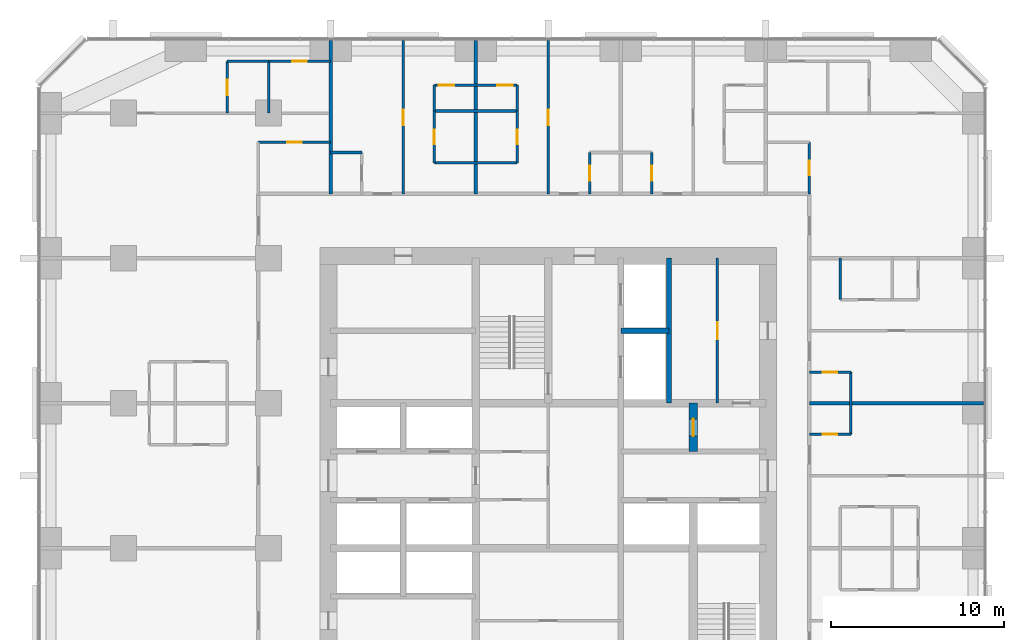
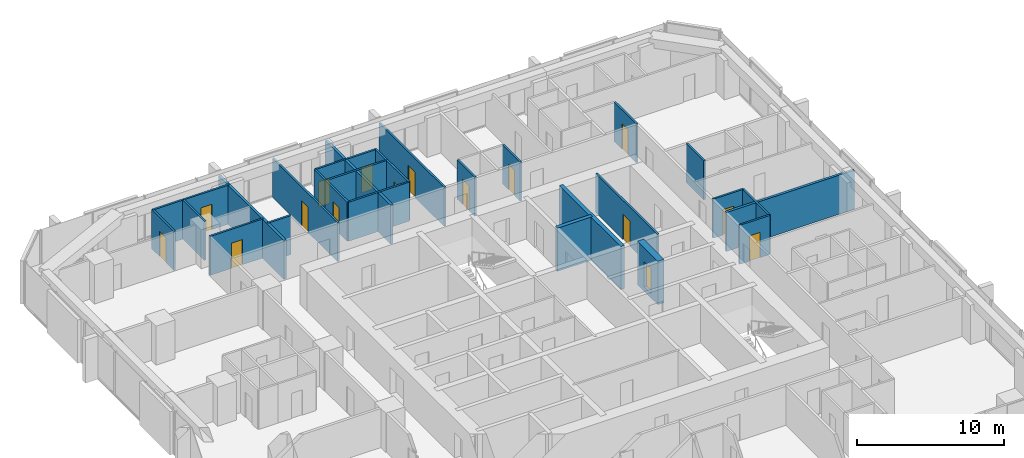
# One storey, part 12 of 14: 29 walls, 16 doors, 16 openings.
"""IFC4 building model written with IfcOpenShell, lengths in metres."""

import ifcopenshell
import ifcopenshell.guid

model = None  # the IFC model being written
_history = None  # IfcOwnerHistory: only IFC2X3 demands one
_inside = {}  # id of a spatial element -> (the spatial element, [elements in it])
_under = {}  # id of a project, library or spatial element -> (it, [spatial elements below it])
_declared = {}  # id of a project -> (the project, [libraries it declares])
_typed = {}  # id of a type object -> (the type object, [elements of that type])
_made_of = {}  # id of a material, layer set ... -> (it, [elements and type objects made of it])


def new_model(schema):
    """Start an empty IFC model of exactly this schema.

    Asked for "IFC4X3", IfcOpenShell would pick the latest addendum, in which some entities
    have other attributes; the version numbers below select the first issue.
    IFC2X3 requires an IfcOwnerHistory on every rooted entity: one is made here for all.
    """
    global model, _history
    if schema == "IFC4X3":
        model = ifcopenshell.file(schema_version=(4, 3, 0, 0))
    else:
        model = ifcopenshell.file(schema=schema)
    _inside.clear()
    _under.clear()
    _declared.clear()
    _typed.clear()
    _made_of.clear()
    _history = None
    if model.schema == "IFC2X3":
        org = make("IfcOrganization", Name="unknown")
        user = make(
            "IfcPersonAndOrganization",
            ThePerson=make("IfcPerson", FamilyName="unknown"),
            TheOrganization=org,
        )
        app = make(
            "IfcApplication",
            ApplicationDeveloper=org,
            Version="unknown",
            ApplicationFullName="unknown",
            ApplicationIdentifier="unknown",
        )
        _history = make(
            "IfcOwnerHistory",
            OwningUser=user,
            OwningApplication=app,
            ChangeAction="ADDED",
            CreationDate=0,
        )
    return model


def make(cls, **values):
    """One entity of the class cls with the attributes given. An attribute that is None is left unset."""
    return model.create_entity(
        cls, **{name: value for name, value in values.items() if value is not None}
    )


def rooted(cls, **values):
    """An entity with a GlobalId (a new one), such as an element, a storey or a relation."""
    return make(cls, GlobalId=ifcopenshell.guid.new(), OwnerHistory=_history, **values)


def si_unit(unit_type, name, prefix=None):
    """IfcSIUnit, for example si_unit("LENGTHUNIT", "METRE", prefix="MILLI")."""
    return make("IfcSIUnit", UnitType=unit_type, Prefix=prefix, Name=name)


def assignment(units):
    """IfcUnitAssignment: the units of a project."""
    return None if units is None else make("IfcUnitAssignment", Units=units)


def point(xyz):
    """IfcCartesianPoint."""
    return None if xyz is None else make("IfcCartesianPoint", Coordinates=xyz)


def direction(xyz):
    """IfcDirection."""
    return None if xyz is None else make("IfcDirection", DirectionRatios=xyz)


def frame(location, z_axis=None, x_axis=None):
    """IfcAxis2Placement3D, a coordinate frame: its origin and axes. An axis left out is left unset."""
    return make(
        "IfcAxis2Placement3D",
        Location=point(location),
        Axis=direction(z_axis),
        RefDirection=direction(x_axis),
    )


def frame_2d(location, x_axis=None):
    """IfcAxis2Placement2D, a coordinate frame in the plane: its origin and x axis."""
    return make(
        "IfcAxis2Placement2D", Location=point(location), RefDirection=direction(x_axis)
    )


def origin():
    """The frame at (0, 0, 0) with its axes left unset."""
    return frame((0.0, 0.0, 0.0))


def place(relative_to, where):
    """IfcLocalPlacement: puts the frame where relative to a parent placement (None: the world)."""
    return make(
        "IfcLocalPlacement", PlacementRelTo=relative_to, RelativePlacement=where
    )


def context(
    kind, dimensions, precision=None, world=None, true_north=None, identifier=None
):
    """IfcGeometricRepresentationContext, for example the 3D "Model" context."""
    return make(
        "IfcGeometricRepresentationContext",
        ContextIdentifier=identifier,
        ContextType=kind,
        CoordinateSpaceDimension=dimensions,
        Precision=precision,
        WorldCoordinateSystem=world,
        TrueNorth=true_north,
    )


def subcontext(parent, identifier, kind, view, scale=None):
    """IfcGeometricRepresentationSubContext, for example "Body" below "Model"."""
    return make(
        "IfcGeometricRepresentationSubContext",
        ContextIdentifier=identifier,
        ContextType=kind,
        ParentContext=parent,
        TargetScale=scale,
        TargetView=view,
    )


def project(units=None, contexts=None):
    """IfcProject with its units and contexts."""
    return rooted(
        "IfcProject",
        Name="project",
        RepresentationContexts=contexts,
        UnitsInContext=assignment(units),
    )


def spatial(cls, under=None, at=None, **own):
    """A site, building, storey or space (cls), placed at a placement, below another one or the project."""
    s = rooted(cls, ObjectPlacement=at, **own)
    if under is not None:
        _under.setdefault(under.id(), (under, []))[1].append(s)
    return s


def profile(cls, at=None, kind="AREA", **sizes):
    """A parametric profile (cls). Its sizes go by their IFC names, for example OverallWidth=200.0."""
    return make(cls, ProfileType=kind, Position=at, **sizes)


def rectangle(**sizes):
    """IfcRectangleProfileDef."""
    return profile("IfcRectangleProfileDef", **sizes)


def extrude(swept, where, along, depth):
    """IfcExtrudedAreaSolid: the profile swept, set in the frame where, extruded along a direction by depth."""
    return make(
        "IfcExtrudedAreaSolid",
        SweptArea=swept,
        Position=where,
        ExtrudedDirection=direction(along),
        Depth=depth,
    )


def shape(context_of_items, identifier, shape_type, items):
    """IfcShapeRepresentation: the items that make up one representation, for example the "Body"."""
    return make(
        "IfcShapeRepresentation",
        ContextOfItems=context_of_items,
        RepresentationIdentifier=identifier,
        RepresentationType=shape_type,
        Items=items,
    )


def material(Name=None, Category=None):
    """IfcMaterial."""
    return make("IfcMaterial", Name=Name, Category=Category)


def layer(
    of_material, thickness, ventilated=None, Name=None, Category=None, Priority=None
):
    """IfcMaterialLayer: one layer of a wall or slab, of a material (None: an air gap)."""
    return make(
        "IfcMaterialLayer",
        Material=of_material,
        LayerThickness=thickness,
        IsVentilated=ventilated,
        Name=Name,
        Category=Category,
        Priority=Priority,
    )


def layer_set(layers, Name=None):
    """IfcMaterialLayerSet."""
    return make("IfcMaterialLayerSet", MaterialLayers=layers, LayerSetName=Name)


def made_of(thing, what):
    """Note that an element or type object is made of a material, layer set ...; save() writes the relation."""
    if what is not None:
        _made_of.setdefault(what.id(), (what, []))[1].append(thing)
    return thing


def type_object(cls, material=None, **own):
    """A type object (cls), such as IfcWallType, which elements share."""
    return made_of(rooted(cls, **own), material)


def element(
    cls,
    number,
    at=None,
    inside=None,
    cuts=None,
    type_object=None,
    material=None,
    context=None,
    identifier="Body",
    shape_type=None,
    held_by="IfcProductDefinitionShape",
    body=None,
    shapes=None,
    **own,
):
    """One element of the class cls, such as IfcWall. Its Tag is "e" and its number.

    at: its placement. inside: the storey or other place that contains it. cuts: it is an
    opening in that element (IfcRelVoidsElement). A single representation is given by context,
    identifier, shape_type and body (its items); several are given by shapes. held_by: the class
    of the entity that holds the representations. save() writes the other relations.
    """
    e = rooted(cls, Tag="e%d" % number, ObjectPlacement=at, **own)
    if body is not None:
        shapes = [shape(context, identifier, shape_type, body)]
    if shapes is not None:
        e.Representation = make(held_by, Representations=shapes)
    if inside is not None:
        _inside.setdefault(inside.id(), (inside, []))[1].append(e)
    if cuts is not None:
        rooted(
            "IfcRelVoidsElement", RelatingBuildingElement=cuts, RelatedOpeningElement=e
        )
    if type_object is not None:
        _typed.setdefault(type_object.id(), (type_object, []))[1].append(e)
    return made_of(e, material)


def fill(opening, filler):
    """IfcRelFillsElement: the door or window that sits in an opening."""
    return rooted(
        "IfcRelFillsElement",
        RelatingOpeningElement=opening,
        RelatedBuildingElement=filler,
    )


def aggregate(whole, parts):
    """IfcRelAggregates: a whole, such as a stair, and the parts it consists of."""
    return rooted("IfcRelAggregates", RelatingObject=whole, RelatedObjects=parts)


def save(model, path):
    """Write the relations noted so far, then the file.

    IfcRelAggregates (storeys below a building ...), IfcRelContainedInSpatialStructure (elements
    in a storey), IfcRelDefinesByType, IfcRelAssociatesMaterial and IfcRelDeclares: one each for
    every whole, place, type object, material and project.
    """
    for whole, parts in _under.values():
        aggregate(whole, parts)
    for where, things in _inside.values():
        rooted(
            "IfcRelContainedInSpatialStructure",
            RelatedElements=things,
            RelatingStructure=where,
        )
    for kind, things in _typed.values():
        rooted("IfcRelDefinesByType", RelatedObjects=things, RelatingType=kind)
    for what, things in _made_of.values():
        rooted("IfcRelAssociatesMaterial", RelatedObjects=things, RelatingMaterial=what)
    for by, libraries in _declared.values():
        rooted("IfcRelDeclares", RelatingContext=by, RelatedDefinitions=libraries)
    model.write(path)


model = new_model("IFC4")

# Units and contexts
model_context = context("Model", 3, precision=1e-05, world=origin(), true_north=direction((0.0, 1.0)))
body_context = subcontext(model_context, "Body", "Model", "MODEL_VIEW")
ifc_project = project(units=[si_unit("LENGTHUNIT", "METRE"), si_unit("AREAUNIT", "SQUARE_METRE"), si_unit("VOLUMEUNIT", "CUBIC_METRE"), si_unit("PLANEANGLEUNIT", "RADIAN"), si_unit("MASSUNIT", "GRAM", prefix="KILO")], contexts=[model_context])

# Site, building, storey
site_placement = place(None, origin())
site = spatial("IfcSite", under=ifc_project, at=site_placement, CompositionType="ELEMENT")
building_placement = place(site_placement, origin())
building = spatial("IfcBuilding", under=site, at=building_placement, Name="Dunama Terrace Hotel", CompositionType="ELEMENT")
storey_placement = place(building_placement, frame((0.0, 0.0, 129.60009765625)))
storey = spatial("IfcBuildingStorey", under=building, at=storey_placement, Name="L33", CompositionType="ELEMENT", Elevation=129.60009765625)

# Wall, opening, door
ifc_material_1 = material(Name="Gypsum board partition", Category="masonry")
ifc_layer_1 = layer(ifc_material_1, 0.14990234375)
ifc_layer_set_1 = layer_set([ifc_layer_1], Name="Bathroom partition 150")
wall_type_1 = type_object("IfcWallType", Name="Bathroom partition 150", PredefinedType="PARTITIONING", material=ifc_layer_set_1)
wall_1_placement = place(storey_placement, frame((22.800048828125, 47.52490234375, 0.0), z_axis=(0.0, 0.0, 1.0), x_axis=(0.0, 1.0, 0.0)))
wall_1 = element("IfcWall", 1, at=wall_1_placement, inside=storey, type_object=wall_type_1, Name="Bathroom partition 150 L33", PredefinedType="PARTITIONING", context=body_context, shape_type="SweptSolid", body=[
    extrude(rectangle(XDim=3.0, YDim=0.14990234375, at=frame_2d((1.5, 0.0))), origin(), (0.0, 0.0, 1.0), 3.25),
])
opening_1_placement = place(wall_1_placement, frame((1.074951171875, 0.0, 0.0)))
opening_1 = element("IfcOpeningElement", 2, at=opening_1_placement, cuts=wall_1, Name="Opening L31-33-041", PredefinedType="OPENING", context=body_context, shape_type="SweptSolid", body=[
    extrude(rectangle(XDim=0.85009765625, YDim=2.10009765625, at=frame_2d((0.425048828125, 1.050048828125))), frame((0.0, 0.0849609375, 0.0), z_axis=(0.0, -1.0, 0.0), x_axis=(1.0, 0.0, 0.0)), (0.0, 0.0, 1.0), 0.169921875),
])
ifc_material_2 = material(Name="Timber door with steel frame", Category="steel")
door_type_1 = type_object("IfcDoorType", Name="Bathroom door 850", OperationType="SINGLE_SWING_LEFT", PredefinedType="DOOR", material=ifc_material_2)
door_1_placement = place(opening_1_placement, frame((0.85009765625, 0.0, 0.0), z_axis=(0.0, 0.0, 1.0), x_axis=(-1.0, 0.0, 0.0)))
door_1 = element("IfcDoor", 3, at=door_1_placement, inside=storey, type_object=door_type_1, Name="Door to en-suite bathroom L31-33-041, type D2", OperationType="SINGLE_SWING_LEFT", OverallHeight=2.10009765625, OverallWidth=0.85009765625, PredefinedType="DOOR", context=body_context, shape_type="SweptSolid", body=[
    extrude(rectangle(XDim=0.85009765625, YDim=2.10009765625, at=frame_2d((0.425048828125, 1.050048828125))), frame((0.0, 0.025146484375, 0.0), z_axis=(0.0, -1.0, 0.0), x_axis=(1.0, 0.0, 0.0)), (0.0, 0.0, 1.0), 0.050048828125),
])
fill(opening_1, door_1)

wall_2_placement = place(storey_placement, frame((27.60009765625, 47.52490234375, 0.0), z_axis=(0.0, 0.0, 1.0), x_axis=(0.0, 1.0, 0.0)))
wall_2 = element("IfcWall", 4, at=wall_2_placement, inside=storey, type_object=wall_type_1, Name="Bathroom partition 150 L33", PredefinedType="PARTITIONING", context=body_context, shape_type="SweptSolid", body=[
    extrude(rectangle(XDim=3.0, YDim=0.14990234375, at=frame_2d((1.5, 0.0))), origin(), (0.0, 0.0, 1.0), 3.25),
])
opening_2_placement = place(wall_2_placement, frame((1.074951171875, 0.0, 0.0)))
opening_2 = element("IfcOpeningElement", 5, at=opening_2_placement, cuts=wall_2, Name="Opening L31-33-046", PredefinedType="OPENING", context=body_context, shape_type="SweptSolid", body=[
    extrude(rectangle(XDim=0.85009765625, YDim=2.10009765625, at=frame_2d((0.425048828125, 1.050048828125))), frame((0.0, 0.0849609375, 0.0), z_axis=(0.0, -1.0, 0.0), x_axis=(1.0, 0.0, 0.0)), (0.0, 0.0, 1.0), 0.169921875),
])
door_2_placement = place(opening_2_placement, origin())
door_2 = element("IfcDoor", 6, at=door_2_placement, inside=storey, type_object=door_type_1, Name="Door to en-suite bathroom L31-33-046, type D2", OperationType="SINGLE_SWING_RIGHT", OverallHeight=2.10009765625, OverallWidth=0.85009765625, PredefinedType="DOOR", context=body_context, shape_type="SweptSolid", body=[
    extrude(rectangle(XDim=0.85009765625, YDim=2.10009765625, at=frame_2d((0.425048828125, 1.050048828125))), frame((0.0, 0.02490234375, 0.0), z_axis=(0.0, -1.0, 0.0), x_axis=(1.0, 0.0, 0.0)), (0.0, 0.0, 1.0), 0.050048828125),
])
fill(opening_2, door_2)

wall_3_placement = place(storey_placement, frame((31.800048828125, 45.72509765625, 0.0), z_axis=(0.0, 0.0, 1.0), x_axis=(0.0, 1.0, 0.0)))
wall_3 = element("IfcWall", 7, at=wall_3_placement, inside=storey, type_object=wall_type_1, Name="Bathroom partition 150 L33", PredefinedType="PARTITIONING", context=body_context, shape_type="SweptSolid", body=[
    extrude(rectangle(XDim=2.39990234375, YDim=0.14990234375, at=frame_2d((1.199951171875, 0.0))), origin(), (0.0, 0.0, 1.0), 3.25),
])
opening_3_placement = place(wall_3_placement, frame((0.77490234375, 0.0, 0.0)))
opening_3 = element("IfcOpeningElement", 8, at=opening_3_placement, cuts=wall_3, Name="Opening L31-33-044", PredefinedType="OPENING", context=body_context, shape_type="SweptSolid", body=[
    extrude(rectangle(XDim=0.85009765625, YDim=2.10009765625, at=frame_2d((0.425048828125, 1.050048828125))), frame((0.0, 0.0849609375, 0.0), z_axis=(0.0, -1.0, 0.0), x_axis=(1.0, 0.0, 0.0)), (0.0, 0.0, 1.0), 0.169921875),
])
door_3_placement = place(opening_3_placement, frame((0.85009765625, 0.0, 0.0), z_axis=(0.0, 0.0, 1.0), x_axis=(-1.0, 0.0, 0.0)))
door_3 = element("IfcDoor", 9, at=door_3_placement, inside=storey, type_object=door_type_1, Name="Door to powder room L31-33-044, type D2", OperationType="SINGLE_SWING_RIGHT", OverallHeight=2.10009765625, OverallWidth=0.85009765625, PredefinedType="DOOR", context=body_context, shape_type="SweptSolid", body=[
    extrude(rectangle(XDim=0.85009765625, YDim=2.10009765625, at=frame_2d((0.425048828125, 1.050048828125))), frame((0.0, 0.025146484375, 0.0), z_axis=(0.0, -1.0, 0.0), x_axis=(1.0, 0.0, 0.0)), (0.0, 0.0, 1.0), 0.050048828125),
])
fill(opening_3, door_3)

wall_4_placement = place(storey_placement, frame((35.39990234375, 45.72509765625, 0.0), z_axis=(0.0, 0.0, 1.0), x_axis=(0.0, 1.0, 0.0)))
wall_4 = element("IfcWall", 10, at=wall_4_placement, inside=storey, type_object=wall_type_1, Name="Bathroom partition 150 L33", PredefinedType="PARTITIONING", context=body_context, shape_type="SweptSolid", body=[
    extrude(rectangle(XDim=2.39990234375, YDim=0.14990234375, at=frame_2d((1.199951171875, 0.0))), origin(), (0.0, 0.0, 1.0), 3.25),
])
opening_4_placement = place(wall_4_placement, frame((0.77490234375, 0.0, 0.0)))
opening_4 = element("IfcOpeningElement", 11, at=opening_4_placement, cuts=wall_4, Name="Opening L31-33-049", PredefinedType="OPENING", context=body_context, shape_type="SweptSolid", body=[
    extrude(rectangle(XDim=0.85009765625, YDim=2.10009765625, at=frame_2d((0.425048828125, 1.050048828125))), frame((0.0, 0.0849609375, 0.0), z_axis=(0.0, -1.0, 0.0), x_axis=(1.0, 0.0, 0.0)), (0.0, 0.0, 1.0), 0.169921875),
])
door_4_placement = place(opening_4_placement, origin())
door_4 = element("IfcDoor", 12, at=door_4_placement, inside=storey, type_object=door_type_1, Name="Door to powder room L31-33-049, type D2", OperationType="SINGLE_SWING_LEFT", OverallHeight=2.10009765625, OverallWidth=0.85009765625, PredefinedType="DOOR", context=body_context, shape_type="SweptSolid", body=[
    extrude(rectangle(XDim=0.85009765625, YDim=2.10009765625, at=frame_2d((0.425048828125, 1.050048828125))), frame((0.0, 0.02490234375, 0.0), z_axis=(0.0, -1.0, 0.0), x_axis=(1.0, 0.0, 0.0)), (0.0, 0.0, 1.0), 0.050048828125),
])
fill(opening_4, door_4)

wall_5_placement = place(storey_placement, frame((44.52490234375, 45.72509765625, 0.0), z_axis=(0.0, 0.0, 1.0), x_axis=(0.0, 1.0, 0.0)))
wall_5 = element("IfcWall", 13, at=wall_5_placement, inside=storey, type_object=wall_type_1, Name="Bathroom partition 150 L33", PredefinedType="PARTITIONING", context=body_context, shape_type="SweptSolid", body=[
    extrude(rectangle(XDim=3.0, YDim=0.14990234375, at=frame_2d((1.5, 0.0))), origin(), (0.0, 0.0, 1.0), 3.25),
])
opening_5_placement = place(wall_5_placement, frame((1.074951171875, 0.0, 0.0)))
opening_5 = element("IfcOpeningElement", 14, at=opening_5_placement, cuts=wall_5, Name="Opening L31-33-073", PredefinedType="OPENING", context=body_context, shape_type="SweptSolid", body=[
    extrude(rectangle(XDim=0.85009765625, YDim=2.10009765625, at=frame_2d((0.425048828125, 1.050048828125))), frame((0.0, 0.0849609375, 0.0), z_axis=(0.0, -1.0, 0.0), x_axis=(1.0, 0.0, 0.0)), (0.0, 0.0, 1.0), 0.169921875),
])
door_5_placement = place(opening_5_placement, origin())
door_5 = element("IfcDoor", 15, at=door_5_placement, inside=storey, type_object=door_type_1, Name="Door to powder room L31-33-073, type D2", OperationType="SINGLE_SWING_LEFT", OverallHeight=2.10009765625, OverallWidth=0.85009765625, PredefinedType="DOOR", context=body_context, shape_type="SweptSolid", body=[
    extrude(rectangle(XDim=0.85009765625, YDim=2.10009765625, at=frame_2d((0.425048828125, 1.050048828125))), frame((0.0, 0.02490234375, 0.0), z_axis=(0.0, -1.0, 0.0), x_axis=(1.0, 0.0, 0.0)), (0.0, 0.0, 1.0), 0.050048828125),
])
fill(opening_5, door_5)

# Walls
wall_6_placement = place(storey_placement, frame((46.324951171875, 39.60009765625, 0.0), z_axis=(0.0, 0.0, 1.0), x_axis=(0.0, 1.0, 0.0)))
element("IfcWall", 16, at=wall_6_placement, inside=storey, type_object=wall_type_1, Name="Bathroom partition 150 L33", PredefinedType="PARTITIONING", context=body_context, shape_type="SweptSolid", body=[
    extrude(rectangle(XDim=2.39990234375, YDim=0.14990234375, at=frame_2d((1.199951171875, 0.0))), origin(), (0.0, 0.0, 1.0), 3.25),
])
wall_7_placement = place(storey_placement, frame((46.925048828125, 31.800048828125, 0.0), z_axis=(0.0, 0.0, 1.0), x_axis=(0.0, 1.0, 0.0)))
element("IfcWall", 17, at=wall_7_placement, inside=storey, type_object=wall_type_1, Name="Bathroom partition 150 L33", PredefinedType="PARTITIONING", context=body_context, shape_type="SweptSolid", body=[
    extrude(rectangle(XDim=3.599853515625, YDim=0.14990234375, at=frame_2d((1.7998046875, 0.0))), origin(), (0.0, 0.0, 1.0), 3.25),
])

# Wall, opening, door
wall_8_placement = place(storey_placement, frame((44.52490234375, 31.800048828125, 0.0), z_axis=(0.0, 0.0, 1.0), x_axis=(1.0, 0.0, 0.0)))
wall_8 = element("IfcWall", 18, at=wall_8_placement, inside=storey, type_object=wall_type_1, Name="Bathroom partition 150 L33", PredefinedType="PARTITIONING", context=body_context, shape_type="SweptSolid", body=[
    extrude(rectangle(XDim=2.400146484375, YDim=0.14990234375, at=frame_2d((1.2001953125, 0.0))), origin(), (0.0, 0.0, 1.0), 3.25),
])
opening_6_placement = place(wall_8_placement, frame((0.77490234375, 0.0, 0.0)))
opening_6 = element("IfcOpeningElement", 19, at=opening_6_placement, cuts=wall_8, Name="Opening L31-33-029", PredefinedType="OPENING", context=body_context, shape_type="SweptSolid", body=[
    extrude(rectangle(XDim=0.85009765625, YDim=2.10009765625, at=frame_2d((0.425048828125, 1.050048828125))), frame((0.0, 0.0849609375, 0.0), z_axis=(0.0, -1.0, 0.0), x_axis=(1.0, 0.0, 0.0)), (0.0, 0.0, 1.0), 0.169921875),
])
door_6_placement = place(opening_6_placement, origin())
door_6 = element("IfcDoor", 20, at=door_6_placement, inside=storey, type_object=door_type_1, Name="Door to powder room L31-33-029, type D2", OperationType="SINGLE_SWING_LEFT", OverallHeight=2.10009765625, OverallWidth=0.85009765625, PredefinedType="DOOR", context=body_context, shape_type="SweptSolid", body=[
    extrude(rectangle(XDim=0.85009765625, YDim=2.10009765625, at=frame_2d((0.425048828125, 1.050048828125))), frame((0.0, 0.02490234375, 0.0), z_axis=(0.0, -1.0, 0.0), x_axis=(1.0, 0.0, 0.0)), (0.0, 0.0, 1.0), 0.050048828125),
])
fill(opening_6, door_6)

wall_9_placement = place(storey_placement, frame((44.52490234375, 35.39990234375, 0.0), z_axis=(0.0, 0.0, 1.0), x_axis=(1.0, 0.0, 0.0)))
wall_9 = element("IfcWall", 21, at=wall_9_placement, inside=storey, type_object=wall_type_1, Name="Bathroom partition 150 L33", PredefinedType="PARTITIONING", context=body_context, shape_type="SweptSolid", body=[
    extrude(rectangle(XDim=2.400146484375, YDim=0.14990234375, at=frame_2d((1.2001953125, 0.0))), origin(), (0.0, 0.0, 1.0), 3.25),
])
opening_7_placement = place(wall_9_placement, frame((0.77490234375, 0.0, 0.0)))
opening_7 = element("IfcOpeningElement", 22, at=opening_7_placement, cuts=wall_9, Name="Opening L31-33-034", PredefinedType="OPENING", context=body_context, shape_type="SweptSolid", body=[
    extrude(rectangle(XDim=0.85009765625, YDim=2.10009765625, at=frame_2d((0.425048828125, 1.050048828125))), frame((0.0, 0.0849609375, 0.0), z_axis=(0.0, -1.0, 0.0), x_axis=(1.0, 0.0, 0.0)), (0.0, 0.0, 1.0), 0.169921875),
])
door_7_placement = place(opening_7_placement, frame((0.85009765625, 0.0, 0.0), z_axis=(0.0, 0.0, 1.0), x_axis=(-1.0, 0.0, 0.0)))
door_7 = element("IfcDoor", 23, at=door_7_placement, inside=storey, type_object=door_type_1, Name="Door to powder room L31-33-034, type D2", OperationType="SINGLE_SWING_RIGHT", OverallHeight=2.10009765625, OverallWidth=0.85009765625, PredefinedType="DOOR", context=body_context, shape_type="SweptSolid", body=[
    extrude(rectangle(XDim=0.85009765625, YDim=2.10009765625, at=frame_2d((0.425048828125, 1.050048828125))), frame((0.0, 0.025146484375, 0.0), z_axis=(0.0, -1.0, 0.0), x_axis=(1.0, 0.0, 0.0)), (0.0, 0.0, 1.0), 0.050048828125),
])
fill(opening_7, door_7)

# Walls
wall_10_placement = place(storey_placement, frame((22.800048828125, 47.52490234375, 0.0), z_axis=(0.0, 0.0, 1.0), x_axis=(1.0, 0.0, 0.0)))
element("IfcWall", 24, at=wall_10_placement, inside=storey, type_object=wall_type_1, Name="Bathroom partition 150 L33", PredefinedType="PARTITIONING", context=body_context, shape_type="SweptSolid", body=[
    extrude(rectangle(XDim=4.800048828125, YDim=0.14990234375, at=frame_2d((2.39990234375, 0.0))), origin(), (0.0, 0.0, 1.0), 3.25),
])
wall_11_placement = place(storey_placement, frame((16.800048828125, 48.125, 0.0), z_axis=(0.0, 0.0, 1.0), x_axis=(1.0, 0.0, 0.0)))
element("IfcWall", 25, at=wall_11_placement, inside=storey, type_object=wall_type_1, Name="Bathroom partition 150 L33", PredefinedType="PARTITIONING", context=body_context, shape_type="SweptSolid", body=[
    extrude(rectangle(XDim=1.800048828125, YDim=0.14990234375, at=frame_2d((0.89990234375, 0.0))), origin(), (0.0, 0.0, 1.0), 3.25),
])

# Wall, opening, door
wall_12_placement = place(storey_placement, frame((12.60009765625, 48.72509765625, 0.0), z_axis=(0.0, 0.0, 1.0), x_axis=(1.0, 0.0, 0.0)))
wall_12 = element("IfcWall", 26, at=wall_12_placement, inside=storey, type_object=wall_type_1, Name="Bathroom partition 150 L33", PredefinedType="PARTITIONING", context=body_context, shape_type="SweptSolid", body=[
    extrude(rectangle(XDim=4.199951171875, YDim=0.14990234375, at=frame_2d((2.10009765625, 0.0))), origin(), (0.0, 0.0, 1.0), 3.25),
])
opening_8_placement = place(wall_12_placement, frame((1.675048828125, 0.0, 0.0)))
opening_8 = element("IfcOpeningElement", 27, at=opening_8_placement, cuts=wall_12, Name="Opening L31-33-078", PredefinedType="OPENING", context=body_context, shape_type="SweptSolid", body=[
    extrude(rectangle(XDim=0.85009765625, YDim=2.10009765625, at=frame_2d((0.425048828125, 1.050048828125))), frame((0.0, 0.0849609375, 0.0), z_axis=(0.0, -1.0, 0.0), x_axis=(1.0, 0.0, 0.0)), (0.0, 0.0, 1.0), 0.169921875),
])
door_8_placement = place(opening_8_placement, frame((0.85009765625, 0.0, 0.0), z_axis=(0.0, 0.0, 1.0), x_axis=(-1.0, 0.0, 0.0)))
door_8 = element("IfcDoor", 28, at=door_8_placement, inside=storey, type_object=door_type_1, Name="Door to powder room L31-33-078, type D2", OperationType="SINGLE_SWING_RIGHT", OverallHeight=2.10009765625, OverallWidth=0.85009765625, PredefinedType="DOOR", context=body_context, shape_type="SweptSolid", body=[
    extrude(rectangle(XDim=0.85009765625, YDim=2.10009765625, at=frame_2d((0.425048828125, 1.050048828125))), frame((0.0, 0.025146484375, 0.0), z_axis=(0.0, -1.0, 0.0), x_axis=(1.0, 0.0, 0.0)), (0.0, 0.0, 1.0), 0.050048828125),
])
fill(opening_8, door_8)

wall_13_placement = place(storey_placement, frame((13.199951171875, 53.39990234375, 0.0), z_axis=(0.0, 0.0, 1.0), x_axis=(1.0, 0.0, 0.0)))
wall_13 = element("IfcWall", 29, at=wall_13_placement, inside=storey, type_object=wall_type_1, Name="Bathroom partition 150 L33", PredefinedType="PARTITIONING", context=body_context, shape_type="SweptSolid", body=[
    extrude(rectangle(XDim=3.60009765625, YDim=0.14990234375, at=frame_2d((1.800048828125, 0.0))), origin(), (0.0, 0.0, 1.0), 3.25),
])
opening_9_placement = place(wall_13_placement, frame((1.375, 0.0, 0.0)))
opening_9 = element("IfcOpeningElement", 30, at=opening_9_placement, cuts=wall_13, Name="Opening L31-33-080", PredefinedType="OPENING", context=body_context, shape_type="SweptSolid", body=[
    extrude(rectangle(XDim=0.85009765625, YDim=2.10009765625, at=frame_2d((0.425048828125, 1.050048828125))), frame((0.0, 0.0849609375, 0.0), z_axis=(0.0, -1.0, 0.0), x_axis=(1.0, 0.0, 0.0)), (0.0, 0.0, 1.0), 0.169921875),
])
door_9_placement = place(opening_9_placement, frame((0.85009765625, 0.0, 0.0), z_axis=(0.0, 0.0, 1.0), x_axis=(-1.0, 0.0, 0.0)))
door_9 = element("IfcDoor", 31, at=door_9_placement, inside=storey, type_object=door_type_1, Name="Door to en-suite bathroom L31-33-080, type D2", OperationType="SINGLE_SWING_LEFT", OverallHeight=2.10009765625, OverallWidth=0.85009765625, PredefinedType="DOOR", context=body_context, shape_type="SweptSolid", body=[
    extrude(rectangle(XDim=0.85009765625, YDim=2.10009765625, at=frame_2d((0.425048828125, 1.050048828125))), frame((0.0, 0.025146484375, 0.0), z_axis=(0.0, -1.0, 0.0), x_axis=(1.0, 0.0, 0.0)), (0.0, 0.0, 1.0), 0.050048828125),
])
fill(opening_9, door_9)

# Walls
ifc_material_3 = material(Name="Concrete C50/60", Category="concrete")
ifc_layer_2 = layer(ifc_material_3, 0.300048828125)
ifc_layer_set_2 = layer_set([ifc_layer_2], Name="Core inner wall 300")
wall_type_2 = type_object("IfcWallType", Name="Core inner wall 300", PredefinedType="SHEAR", material=ifc_layer_set_2)
wall_14_placement = place(storey_placement, frame((36.39990234375, 33.60009765625, -0.35009765625), z_axis=(0.0, 0.0, 1.0), x_axis=(0.0, 1.0, 0.0)))
element("IfcWall", 32, at=wall_14_placement, inside=storey, type_object=wall_type_2, Name="Core inner wall 300 L33", PredefinedType="SHEAR", context=body_context, shape_type="SweptSolid", body=[
    extrude(rectangle(XDim=8.39990234375, YDim=0.300048828125, at=frame_2d((4.199951171875, 0.0))), origin(), (0.0, 0.0, 1.0), 3.60009765625),
])
wall_15_placement = place(storey_placement, frame((33.60009765625, 37.800048828125, -0.35009765625), z_axis=(0.0, 0.0, 1.0), x_axis=(1.0, 0.0, 0.0)))
element("IfcWall", 33, at=wall_15_placement, inside=storey, type_object=wall_type_2, Name="Core inner wall 300 L33", PredefinedType="SHEAR", context=body_context, shape_type="SweptSolid", body=[
    extrude(rectangle(XDim=2.7998046875, YDim=0.300048828125, at=frame_2d((1.39990234375, 0.0))), origin(), (0.0, 0.0, 1.0), 3.60009765625),
])

# Wall, opening, door
ifc_material_4 = material(Name="Concrete C50/60", Category="concrete")
ifc_layer_3 = layer(ifc_material_4, 0.5)
ifc_layer_set_3 = layer_set([ifc_layer_3], Name="Core inner wall 500")
wall_type_3 = type_object("IfcWallType", Name="Core inner wall 500", PredefinedType="SHEAR", material=ifc_layer_set_3)
wall_16_placement = place(storey_placement, frame((37.800048828125, 30.800048828125, -0.35009765625), z_axis=(0.0, 0.0, 1.0), x_axis=(0.0, 1.0, 0.0)))
wall_16 = element("IfcWall", 34, at=wall_16_placement, inside=storey, type_object=wall_type_3, Name="Core inner wall 500 L33", PredefinedType="SHEAR", context=body_context, shape_type="SweptSolid", body=[
    extrude(rectangle(XDim=2.800048828125, YDim=0.5, at=frame_2d((1.39990234375, 0.0))), origin(), (0.0, 0.0, 1.0), 3.60009765625),
])
opening_10_placement = place(wall_16_placement, frame((0.89990234375, 0.0, 0.35009765625)))
opening_10 = element("IfcOpeningElement", 35, at=opening_10_placement, cuts=wall_16, Name="Opening L31-33-090", PredefinedType="OPENING", context=body_context, shape_type="SweptSolid", body=[
    extrude(rectangle(XDim=1.0, YDim=2.10009765625, at=frame_2d((0.5, 1.050048828125))), frame((0.0, 0.260009765625, 0.0), z_axis=(0.0, -1.0, 0.0), x_axis=(1.0, 0.0, 0.0)), (0.0, 0.0, 1.0), 0.52001953125),
])
ifc_material_5 = material(Name="Timber door with steel frame", Category="steel")
door_type_2 = type_object("IfcDoorType", Name="Service door 1000", OperationType="SINGLE_SWING_LEFT", PredefinedType="DOOR", material=ifc_material_5)
door_10_placement = place(opening_10_placement, frame((1.0, 0.0, 0.0), z_axis=(0.0, 0.0, 1.0), x_axis=(-1.0, 0.0, 0.0)))
door_10 = element("IfcDoor", 36, at=door_10_placement, inside=storey, type_object=door_type_2, Name="Door to service riser L31-33-090, type D7", OperationType="SINGLE_SWING_LEFT", OverallHeight=2.10009765625, OverallWidth=1.0, PredefinedType="DOOR", context=body_context, shape_type="SweptSolid", body=[
    extrude(rectangle(XDim=1.0, YDim=2.10009765625, at=frame_2d((0.5, 1.050048828125))), frame((0.0, 0.025146484375, 0.0), z_axis=(0.0, -1.0, 0.0), x_axis=(1.0, 0.0, 0.0)), (0.0, 0.0, 1.0), 0.050048828125),
])
fill(opening_10, door_10)

# Walls
ifc_material_6 = material(Name="Concrete blockwork", Category="masonry")
ifc_layer_4 = layer(ifc_material_6, 0.199951171875)
ifc_layer_set_4 = layer_set([ifc_layer_4], Name="Party wall 200")
wall_type_4 = type_object("IfcWallType", Name="Party wall 200", PredefinedType="PARTITIONING", material=ifc_layer_set_4)
for number, where, z_axis, x_axis, name in (
    (37, (16.800048828125, 45.72509765625, 0.0), (0.0, 0.0, 1.0), (0.0, 1.0, 0.0), "Party wall 200 L33"),
    (38, (25.199951171875, 45.72509765625, 0.0), (0.0, 0.0, 1.0), (0.0, 1.0, 0.0), "Party wall 200 L33"),
):
    element("IfcWall", number, at=place(storey_placement, frame(where, z_axis=z_axis, x_axis=x_axis)), inside=storey, type_object=wall_type_4, Name=name, PredefinedType="PARTITIONING", context=body_context, shape_type="SweptSolid", body=[
        extrude(rectangle(XDim=8.892822265625, YDim=0.199951171875, at=frame_2d((4.4462890625, 0.0))), origin(), (0.0, 0.0, 1.0), 3.25),
    ])
wall_17_placement = place(storey_placement, frame((44.52490234375, 33.60009765625, 0.0), z_axis=(0.0, 0.0, 1.0), x_axis=(1.0, 0.0, 0.0)))
element("IfcWall", 39, at=wall_17_placement, inside=storey, type_object=wall_type_4, Name="Party wall 200 L33", PredefinedType="PARTITIONING", context=body_context, shape_type="SweptSolid", body=[
    extrude(rectangle(XDim=10.093017578125, YDim=0.199951171875, at=frame_2d((5.04638671875, 0.0))), origin(), (0.0, 0.0, 1.0), 3.25),
])

# Wall, opening, door
ifc_material_7 = material(Name="Gypsum board partition", Category="masonry")
ifc_layer_5 = layer(ifc_material_7, 0.14990234375)
ifc_layer_set_5 = layer_set([ifc_layer_5], Name="Room partition 150")
wall_type_5 = type_object("IfcWallType", Name="Room partition 150", PredefinedType="PARTITIONING", material=ifc_layer_set_5)
wall_18_placement = place(storey_placement, frame((10.800048828125, 50.39990234375, 0.0), z_axis=(0.0, 0.0, 1.0), x_axis=(0.0, 1.0, 0.0)))
wall_18 = element("IfcWall", 40, at=wall_18_placement, inside=storey, type_object=wall_type_5, Name="Room partition 150 L33", PredefinedType="PARTITIONING", context=body_context, shape_type="SweptSolid", body=[
    extrude(rectangle(XDim=3.0, YDim=0.14990234375, at=frame_2d((1.5, 0.0))), origin(), (0.0, 0.0, 1.0), 3.25),
])
opening_11_placement = place(wall_18_placement, frame((1.050048828125, 0.0, 0.0)))
opening_11 = element("IfcOpeningElement", 41, at=opening_11_placement, cuts=wall_18, Name="Opening L31-33-081", PredefinedType="OPENING", context=body_context, shape_type="SweptSolid", body=[
    extrude(rectangle(XDim=0.89990234375, YDim=2.10009765625, at=frame_2d((0.449951171875, 1.050048828125))), frame((0.0, 0.0849609375, 0.0), z_axis=(0.0, -1.0, 0.0), x_axis=(1.0, 0.0, 0.0)), (0.0, 0.0, 1.0), 0.169921875),
])
ifc_material_8 = material(Name="Timber door with steel frame", Category="steel")
door_type_3 = type_object("IfcDoorType", Name="Suite internal door 900", OperationType="SINGLE_SWING_LEFT", PredefinedType="DOOR", material=ifc_material_8)
door_11_placement = place(opening_11_placement, frame((0.89990234375, 0.0, 0.0), z_axis=(0.0, 0.0, 1.0), x_axis=(-1.0, 0.0, 0.0)))
door_11 = element("IfcDoor", 42, at=door_11_placement, inside=storey, type_object=door_type_3, Name="Door to dressing room L31-33-081, type D16", OperationType="SINGLE_SWING_RIGHT", OverallHeight=2.10009765625, OverallWidth=0.89990234375, PredefinedType="DOOR", context=body_context, shape_type="SweptSolid", body=[
    extrude(rectangle(XDim=0.89990234375, YDim=2.10009765625, at=frame_2d((0.449951171875, 1.050048828125))), frame((0.0, 0.025146484375, 0.0), z_axis=(0.0, -1.0, 0.0), x_axis=(1.0, 0.0, 0.0)), (0.0, 0.0, 1.0), 0.050048828125),
])
fill(opening_11, door_11)

# Wall
wall_19_placement = place(storey_placement, frame((13.199951171875, 50.39990234375, 0.0), z_axis=(0.0, 0.0, 1.0), x_axis=(0.0, 1.0, 0.0)))
element("IfcWall", 43, at=wall_19_placement, inside=storey, type_object=wall_type_5, Name="Room partition 150 L33", PredefinedType="PARTITIONING", context=body_context, shape_type="SweptSolid", body=[
    extrude(rectangle(XDim=3.0, YDim=0.14990234375, at=frame_2d((1.5, 0.0))), origin(), (0.0, 0.0, 1.0), 3.25),
])

# Wall, opening, door
wall_20_placement = place(storey_placement, frame((21.0, 45.72509765625, 0.0), z_axis=(0.0, 0.0, 1.0), x_axis=(0.0, 1.0, 0.0)))
wall_20 = element("IfcWall", 44, at=wall_20_placement, inside=storey, type_object=wall_type_5, Name="Room partition 150 L33", PredefinedType="PARTITIONING", context=body_context, shape_type="SweptSolid", body=[
    extrude(rectangle(XDim=8.892822265625, YDim=0.14990234375, at=frame_2d((4.4462890625, 0.0))), origin(), (0.0, 0.0, 1.0), 3.25),
])
opening_12_placement = place(wall_20_placement, frame((3.987060546875, 0.0, 0.0)))
opening_12 = element("IfcOpeningElement", 45, at=opening_12_placement, cuts=wall_20, Name="Opening L31-33-040", PredefinedType="OPENING", context=body_context, shape_type="SweptSolid", body=[
    extrude(rectangle(XDim=0.89990234375, YDim=2.10009765625, at=frame_2d((0.449951171875, 1.050048828125))), frame((0.0, 0.0849609375, 0.0), z_axis=(0.0, -1.0, 0.0), x_axis=(1.0, 0.0, 0.0)), (0.0, 0.0, 1.0), 0.169921875),
])
door_12_placement = place(opening_12_placement, frame((0.89990234375, 0.0, 0.0), z_axis=(0.0, 0.0, 1.0), x_axis=(-1.0, 0.0, 0.0)))
door_12 = element("IfcDoor", 46, at=door_12_placement, inside=storey, type_object=door_type_3, Name="Door to premier suite bedroom L31-33-040, type D16", OperationType="SINGLE_SWING_RIGHT", OverallHeight=2.10009765625, OverallWidth=0.89990234375, PredefinedType="DOOR", context=body_context, shape_type="SweptSolid", body=[
    extrude(rectangle(XDim=0.89990234375, YDim=2.10009765625, at=frame_2d((0.449951171875, 1.050048828125))), frame((0.0, 0.025146484375, 0.0), z_axis=(0.0, -1.0, 0.0), x_axis=(1.0, 0.0, 0.0)), (0.0, 0.0, 1.0), 0.050048828125),
])
fill(opening_12, door_12)

# Walls
for number, where, z_axis, x_axis, name in (
    (47, (22.800048828125, 50.52490234375, 0.0), (0.0, 0.0, 1.0), (0.0, 1.0, 0.0), "Room partition 150 L33"),
    (48, (27.60009765625, 50.52490234375, 0.0), (0.0, 0.0, 1.0), (0.0, 1.0, 0.0), "Room partition 150 L33"),
):
    element("IfcWall", number, at=place(storey_placement, frame(where, z_axis=z_axis, x_axis=x_axis)), inside=storey, type_object=wall_type_5, Name=name, PredefinedType="PARTITIONING", context=body_context, shape_type="SweptSolid", body=[
        extrude(rectangle(XDim=1.5, YDim=0.14990234375, at=frame_2d((0.75, 0.0))), origin(), (0.0, 0.0, 1.0), 3.25),
    ])

# Wall, opening, door
wall_21_placement = place(storey_placement, frame((29.39990234375, 45.72509765625, 0.0), z_axis=(0.0, 0.0, 1.0), x_axis=(0.0, 1.0, 0.0)))
wall_21 = element("IfcWall", 49, at=wall_21_placement, inside=storey, type_object=wall_type_5, Name="Room partition 150 L33", PredefinedType="PARTITIONING", context=body_context, shape_type="SweptSolid", body=[
    extrude(rectangle(XDim=8.892822265625, YDim=0.14990234375, at=frame_2d((4.4462890625, 0.0))), origin(), (0.0, 0.0, 1.0), 3.25),
])
opening_13_placement = place(wall_21_placement, frame((3.987060546875, 0.0, 0.0)))
opening_13 = element("IfcOpeningElement", 50, at=opening_13_placement, cuts=wall_21, Name="Opening L31-33-045", PredefinedType="OPENING", context=body_context, shape_type="SweptSolid", body=[
    extrude(rectangle(XDim=0.89990234375, YDim=2.10009765625, at=frame_2d((0.449951171875, 1.050048828125))), frame((0.0, 0.0849609375, 0.0), z_axis=(0.0, -1.0, 0.0), x_axis=(1.0, 0.0, 0.0)), (0.0, 0.0, 1.0), 0.169921875),
])
door_13_placement = place(opening_13_placement, origin())
door_13 = element("IfcDoor", 51, at=door_13_placement, inside=storey, type_object=door_type_3, Name="Door to premier suite bedroom L31-33-045, type D16", OperationType="SINGLE_SWING_LEFT", OverallHeight=2.10009765625, OverallWidth=0.89990234375, PredefinedType="DOOR", context=body_context, shape_type="SweptSolid", body=[
    extrude(rectangle(XDim=0.89990234375, YDim=2.10009765625, at=frame_2d((0.449951171875, 1.050048828125))), frame((0.0, 0.02490234375, 0.0), z_axis=(0.0, -1.0, 0.0), x_axis=(1.0, 0.0, 0.0)), (0.0, 0.0, 1.0), 0.050048828125),
])
fill(opening_13, door_13)

wall_22_placement = place(storey_placement, frame((39.199951171875, 33.60009765625, 0.0), z_axis=(0.0, 0.0, 1.0), x_axis=(0.0, 1.0, 0.0)))
wall_22 = element("IfcWall", 52, at=wall_22_placement, inside=storey, type_object=wall_type_5, Name="Room partition 150 L33", PredefinedType="PARTITIONING", context=body_context, shape_type="SweptSolid", body=[
    extrude(rectangle(XDim=8.39990234375, YDim=0.14990234375, at=frame_2d((4.199951171875, 0.0))), origin(), (0.0, 0.0, 1.0), 3.25),
])
opening_14_placement = place(wall_22_placement, frame((3.699951171875, 0.0, 0.0)))
opening_14 = element("IfcOpeningElement", 53, at=opening_14_placement, cuts=wall_22, Name="Opening L31-33-095", PredefinedType="OPENING", context=body_context, shape_type="SweptSolid", body=[
    extrude(rectangle(XDim=1.0, YDim=2.10009765625, at=frame_2d((0.5, 1.050048828125))), frame((0.0, 0.0849609375, 0.0), z_axis=(0.0, -1.0, 0.0), x_axis=(1.0, 0.0, 0.0)), (0.0, 0.0, 1.0), 0.169921875),
])
door_14_placement = place(opening_14_placement, frame((1.0, 0.0, 0.0), z_axis=(0.0, 0.0, 1.0), x_axis=(-1.0, 0.0, 0.0)))
door_14 = element("IfcDoor", 54, at=door_14_placement, inside=storey, type_object=door_type_2, Name="Door to luggage store L31-33-095, type D7", OperationType="SINGLE_SWING_RIGHT", OverallHeight=2.10009765625, OverallWidth=1.0, PredefinedType="DOOR", context=body_context, shape_type="SweptSolid", body=[
    extrude(rectangle(XDim=1.0, YDim=2.10009765625, at=frame_2d((0.5, 1.050048828125))), frame((0.0, 0.025146484375, 0.0), z_axis=(0.0, -1.0, 0.0), x_axis=(1.0, 0.0, 0.0)), (0.0, 0.0, 1.0), 0.050048828125),
])
fill(opening_14, door_14)

# Wall
wall_23_placement = place(storey_placement, frame((22.800048828125, 50.52490234375, 0.0), z_axis=(0.0, 0.0, 1.0), x_axis=(1.0, 0.0, 0.0)))
element("IfcWall", 55, at=wall_23_placement, inside=storey, type_object=wall_type_5, Name="Room partition 150 L33", PredefinedType="PARTITIONING", context=body_context, shape_type="SweptSolid", body=[
    extrude(rectangle(XDim=4.800048828125, YDim=0.14990234375, at=frame_2d((2.39990234375, 0.0))), origin(), (0.0, 0.0, 1.0), 3.25),
])

# Wall, openings, doors
wall_24_placement = place(storey_placement, frame((22.800048828125, 52.02490234375, 0.0), z_axis=(0.0, 0.0, 1.0), x_axis=(1.0, 0.0, 0.0)))
wall_24 = element("IfcWall", 56, at=wall_24_placement, inside=storey, type_object=wall_type_5, Name="Room partition 150 L33", PredefinedType="PARTITIONING", context=body_context, shape_type="SweptSolid", body=[
    extrude(rectangle(XDim=4.800048828125, YDim=0.14990234375, at=frame_2d((2.39990234375, 0.0))), origin(), (0.0, 0.0, 1.0), 3.25),
])
opening_15_placement = place(wall_24_placement, frame((0.25, 0.0, 0.0)))
opening_15 = element("IfcOpeningElement", 57, at=opening_15_placement, cuts=wall_24, Name="Opening L31-33-042", PredefinedType="OPENING", context=body_context, shape_type="SweptSolid", body=[
    extrude(rectangle(XDim=0.89990234375, YDim=2.10009765625, at=frame_2d((0.449951171875, 1.050048828125))), frame((0.0, 0.0849609375, 0.0), z_axis=(0.0, -1.0, 0.0), x_axis=(1.0, 0.0, 0.0)), (0.0, 0.0, 1.0), 0.169921875),
])
opening_16_placement = place(wall_24_placement, frame((3.64990234375, 0.0, 0.0)))
opening_16 = element("IfcOpeningElement", 58, at=opening_16_placement, cuts=wall_24, Name="Opening L31-33-047", PredefinedType="OPENING", context=body_context, shape_type="SweptSolid", body=[
    extrude(rectangle(XDim=0.89990234375, YDim=2.10009765625, at=frame_2d((0.449951171875, 1.050048828125))), frame((0.0, 0.0849609375, 0.0), z_axis=(0.0, -1.0, 0.0), x_axis=(1.0, 0.0, 0.0)), (0.0, 0.0, 1.0), 0.169921875),
])
door_15_placement = place(opening_15_placement, frame((0.89990234375, 0.0, 0.0), z_axis=(0.0, 0.0, 1.0), x_axis=(-1.0, 0.0, 0.0)))
door_15 = element("IfcDoor", 59, at=door_15_placement, inside=storey, type_object=door_type_3, Name="Door to walk-in wardrobe L31-33-042, type D16", OperationType="SINGLE_SWING_RIGHT", OverallHeight=2.10009765625, OverallWidth=0.89990234375, PredefinedType="DOOR", context=body_context, shape_type="SweptSolid", body=[
    extrude(rectangle(XDim=0.89990234375, YDim=2.10009765625, at=frame_2d((0.449951171875, 1.050048828125))), frame((0.0, 0.025146484375, 0.0), z_axis=(0.0, -1.0, 0.0), x_axis=(1.0, 0.0, 0.0)), (0.0, 0.0, 1.0), 0.050048828125),
])
fill(opening_15, door_15)
door_16_placement = place(opening_16_placement, frame((0.89990234375, 0.0, 0.0), z_axis=(0.0, 0.0, 1.0), x_axis=(-1.0, 0.0, 0.0)))
door_16 = element("IfcDoor", 60, at=door_16_placement, inside=storey, type_object=door_type_3, Name="Door to walk-in wardrobe L31-33-047, type D16", OperationType="SINGLE_SWING_LEFT", OverallHeight=2.10009765625, OverallWidth=0.89990234375, PredefinedType="DOOR", context=body_context, shape_type="SweptSolid", body=[
    extrude(rectangle(XDim=0.89990234375, YDim=2.10009765625, at=frame_2d((0.449951171875, 1.050048828125))), frame((0.0, 0.025146484375, 0.0), z_axis=(0.0, -1.0, 0.0), x_axis=(1.0, 0.0, 0.0)), (0.0, 0.0, 1.0), 0.050048828125),
])
fill(opening_16, door_16)

# Wall
wall_25_placement = place(storey_placement, frame((10.800048828125, 53.39990234375, 0.0), z_axis=(0.0, 0.0, 1.0), x_axis=(1.0, 0.0, 0.0)))
element("IfcWall", 61, at=wall_25_placement, inside=storey, type_object=wall_type_5, Name="Room partition 150 L33", PredefinedType="PARTITIONING", context=body_context, shape_type="SweptSolid", body=[
    extrude(rectangle(XDim=2.39990234375, YDim=0.14990234375, at=frame_2d((1.199951171875, 0.0))), origin(), (0.0, 0.0, 1.0), 3.25),
])

save(model, "model.ifc")
